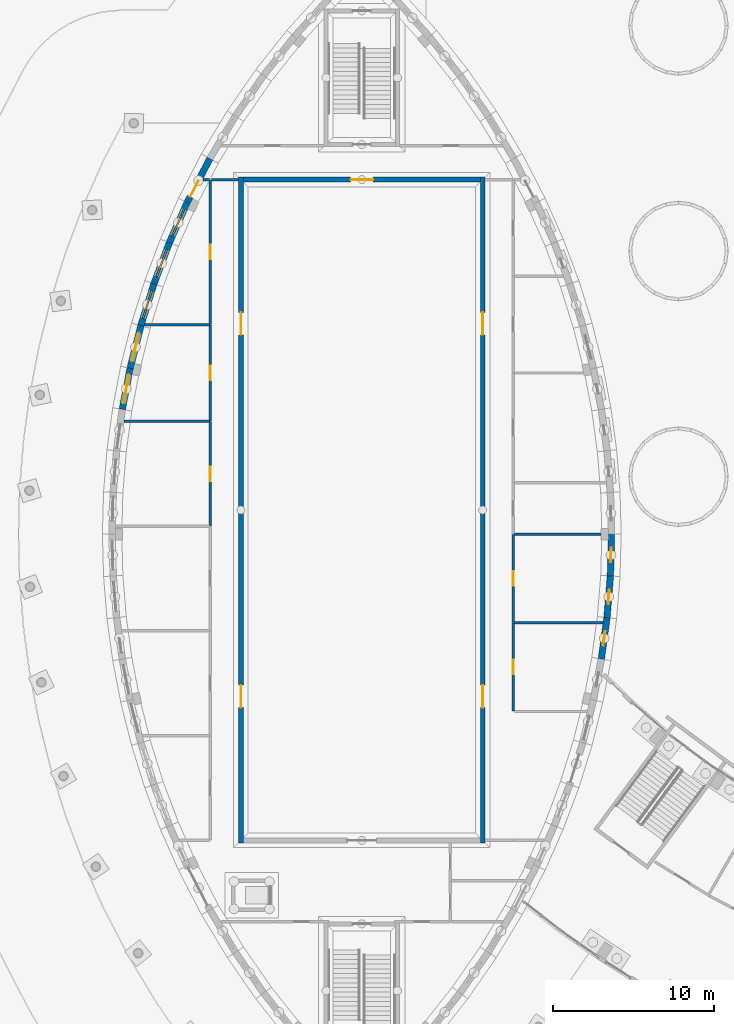
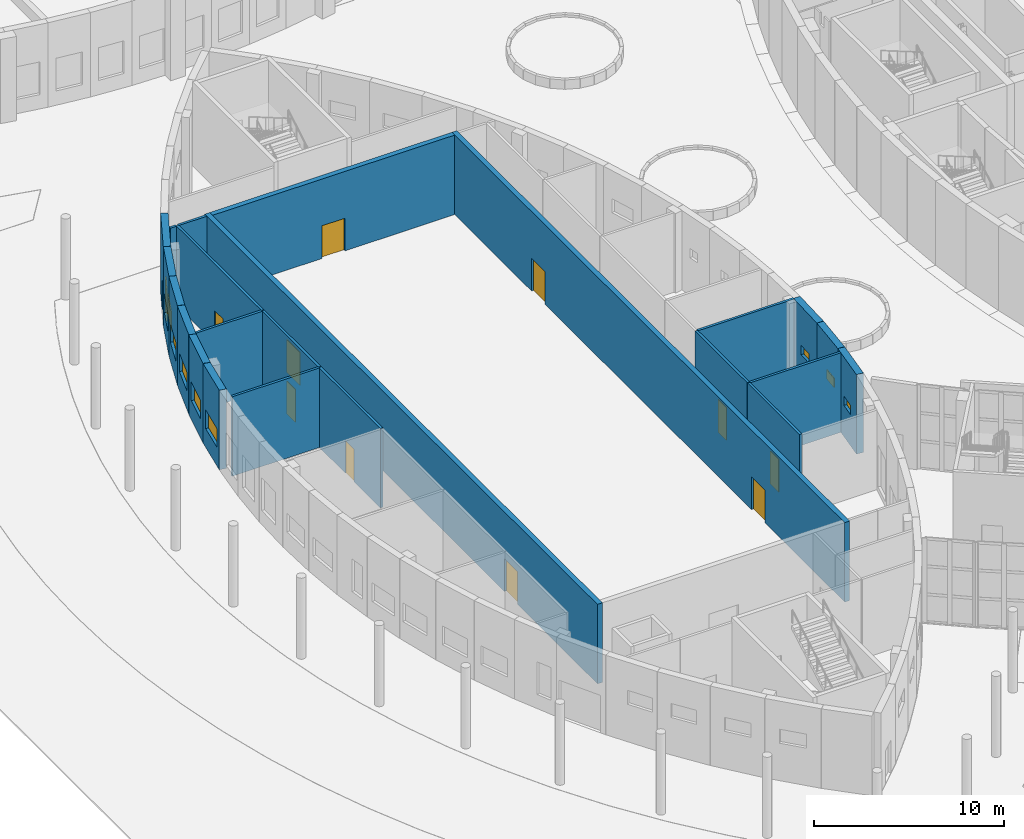
# One storey, part 44 of 82: 23 walls, 11 doors, 8 windows, 19 openings.
"""IFC4 building model written with IfcOpenShell, lengths in metres."""

import ifcopenshell
import ifcopenshell.guid

model = None  # the IFC model being written
_history = None  # IfcOwnerHistory: only IFC2X3 demands one
_inside = {}  # id of a spatial element -> (the spatial element, [elements in it])
_under = {}  # id of a project, library or spatial element -> (it, [spatial elements below it])
_declared = {}  # id of a project -> (the project, [libraries it declares])
_typed = {}  # id of a type object -> (the type object, [elements of that type])
_made_of = {}  # id of a material, layer set ... -> (it, [elements and type objects made of it])


def new_model(schema):
    """Start an empty IFC model of exactly this schema.

    Asked for "IFC4X3", IfcOpenShell would pick the latest addendum, in which some entities
    have other attributes; the version numbers below select the first issue.
    IFC2X3 requires an IfcOwnerHistory on every rooted entity: one is made here for all.
    """
    global model, _history
    if schema == "IFC4X3":
        model = ifcopenshell.file(schema_version=(4, 3, 0, 0))
    else:
        model = ifcopenshell.file(schema=schema)
    _inside.clear()
    _under.clear()
    _declared.clear()
    _typed.clear()
    _made_of.clear()
    _history = None
    if model.schema == "IFC2X3":
        org = make("IfcOrganization", Name="unknown")
        user = make(
            "IfcPersonAndOrganization",
            ThePerson=make("IfcPerson", FamilyName="unknown"),
            TheOrganization=org,
        )
        app = make(
            "IfcApplication",
            ApplicationDeveloper=org,
            Version="unknown",
            ApplicationFullName="unknown",
            ApplicationIdentifier="unknown",
        )
        _history = make(
            "IfcOwnerHistory",
            OwningUser=user,
            OwningApplication=app,
            ChangeAction="ADDED",
            CreationDate=0,
        )
    return model


def make(cls, **values):
    """One entity of the class cls with the attributes given. An attribute that is None is left unset."""
    return model.create_entity(
        cls, **{name: value for name, value in values.items() if value is not None}
    )


def rooted(cls, **values):
    """An entity with a GlobalId (a new one), such as an element, a storey or a relation."""
    return make(cls, GlobalId=ifcopenshell.guid.new(), OwnerHistory=_history, **values)


def si_unit(unit_type, name, prefix=None):
    """IfcSIUnit, for example si_unit("LENGTHUNIT", "METRE", prefix="MILLI")."""
    return make("IfcSIUnit", UnitType=unit_type, Prefix=prefix, Name=name)


def assignment(units):
    """IfcUnitAssignment: the units of a project."""
    return None if units is None else make("IfcUnitAssignment", Units=units)


def point(xyz):
    """IfcCartesianPoint."""
    return None if xyz is None else make("IfcCartesianPoint", Coordinates=xyz)


def direction(xyz):
    """IfcDirection."""
    return None if xyz is None else make("IfcDirection", DirectionRatios=xyz)


def frame(location, z_axis=None, x_axis=None):
    """IfcAxis2Placement3D, a coordinate frame: its origin and axes. An axis left out is left unset."""
    return make(
        "IfcAxis2Placement3D",
        Location=point(location),
        Axis=direction(z_axis),
        RefDirection=direction(x_axis),
    )


def frame_2d(location, x_axis=None):
    """IfcAxis2Placement2D, a coordinate frame in the plane: its origin and x axis."""
    return make(
        "IfcAxis2Placement2D", Location=point(location), RefDirection=direction(x_axis)
    )


def origin():
    """The frame at (0, 0, 0) with its axes left unset."""
    return frame((0.0, 0.0, 0.0))


def place(relative_to, where):
    """IfcLocalPlacement: puts the frame where relative to a parent placement (None: the world)."""
    return make(
        "IfcLocalPlacement", PlacementRelTo=relative_to, RelativePlacement=where
    )


def context(
    kind, dimensions, precision=None, world=None, true_north=None, identifier=None
):
    """IfcGeometricRepresentationContext, for example the 3D "Model" context."""
    return make(
        "IfcGeometricRepresentationContext",
        ContextIdentifier=identifier,
        ContextType=kind,
        CoordinateSpaceDimension=dimensions,
        Precision=precision,
        WorldCoordinateSystem=world,
        TrueNorth=true_north,
    )


def subcontext(parent, identifier, kind, view, scale=None):
    """IfcGeometricRepresentationSubContext, for example "Body" below "Model"."""
    return make(
        "IfcGeometricRepresentationSubContext",
        ContextIdentifier=identifier,
        ContextType=kind,
        ParentContext=parent,
        TargetScale=scale,
        TargetView=view,
    )


def project(units=None, contexts=None):
    """IfcProject with its units and contexts."""
    return rooted(
        "IfcProject",
        Name="project",
        RepresentationContexts=contexts,
        UnitsInContext=assignment(units),
    )


def spatial(cls, under=None, at=None, **own):
    """A site, building, storey or space (cls), placed at a placement, below another one or the project."""
    s = rooted(cls, ObjectPlacement=at, **own)
    if under is not None:
        _under.setdefault(under.id(), (under, []))[1].append(s)
    return s


def profile(cls, at=None, kind="AREA", **sizes):
    """A parametric profile (cls). Its sizes go by their IFC names, for example OverallWidth=200.0."""
    return make(cls, ProfileType=kind, Position=at, **sizes)


def rectangle(**sizes):
    """IfcRectangleProfileDef."""
    return profile("IfcRectangleProfileDef", **sizes)


def extrude(swept, where, along, depth):
    """IfcExtrudedAreaSolid: the profile swept, set in the frame where, extruded along a direction by depth."""
    return make(
        "IfcExtrudedAreaSolid",
        SweptArea=swept,
        Position=where,
        ExtrudedDirection=direction(along),
        Depth=depth,
    )


def shape(context_of_items, identifier, shape_type, items):
    """IfcShapeRepresentation: the items that make up one representation, for example the "Body"."""
    return make(
        "IfcShapeRepresentation",
        ContextOfItems=context_of_items,
        RepresentationIdentifier=identifier,
        RepresentationType=shape_type,
        Items=items,
    )


def material(Name=None, Category=None):
    """IfcMaterial."""
    return make("IfcMaterial", Name=Name, Category=Category)


def layer(
    of_material, thickness, ventilated=None, Name=None, Category=None, Priority=None
):
    """IfcMaterialLayer: one layer of a wall or slab, of a material (None: an air gap)."""
    return make(
        "IfcMaterialLayer",
        Material=of_material,
        LayerThickness=thickness,
        IsVentilated=ventilated,
        Name=Name,
        Category=Category,
        Priority=Priority,
    )


def layer_set(layers, Name=None):
    """IfcMaterialLayerSet."""
    return make("IfcMaterialLayerSet", MaterialLayers=layers, LayerSetName=Name)


def made_of(thing, what):
    """Note that an element or type object is made of a material, layer set ...; save() writes the relation."""
    if what is not None:
        _made_of.setdefault(what.id(), (what, []))[1].append(thing)
    return thing


def type_object(cls, material=None, **own):
    """A type object (cls), such as IfcWallType, which elements share."""
    return made_of(rooted(cls, **own), material)


def element(
    cls,
    number,
    at=None,
    inside=None,
    cuts=None,
    type_object=None,
    material=None,
    context=None,
    identifier="Body",
    shape_type=None,
    held_by="IfcProductDefinitionShape",
    body=None,
    shapes=None,
    **own,
):
    """One element of the class cls, such as IfcWall. Its Tag is "e" and its number.

    at: its placement. inside: the storey or other place that contains it. cuts: it is an
    opening in that element (IfcRelVoidsElement). A single representation is given by context,
    identifier, shape_type and body (its items); several are given by shapes. held_by: the class
    of the entity that holds the representations. save() writes the other relations.
    """
    e = rooted(cls, Tag="e%d" % number, ObjectPlacement=at, **own)
    if body is not None:
        shapes = [shape(context, identifier, shape_type, body)]
    if shapes is not None:
        e.Representation = make(held_by, Representations=shapes)
    if inside is not None:
        _inside.setdefault(inside.id(), (inside, []))[1].append(e)
    if cuts is not None:
        rooted(
            "IfcRelVoidsElement", RelatingBuildingElement=cuts, RelatedOpeningElement=e
        )
    if type_object is not None:
        _typed.setdefault(type_object.id(), (type_object, []))[1].append(e)
    return made_of(e, material)


def fill(opening, filler):
    """IfcRelFillsElement: the door or window that sits in an opening."""
    return rooted(
        "IfcRelFillsElement",
        RelatingOpeningElement=opening,
        RelatedBuildingElement=filler,
    )


def aggregate(whole, parts):
    """IfcRelAggregates: a whole, such as a stair, and the parts it consists of."""
    return rooted("IfcRelAggregates", RelatingObject=whole, RelatedObjects=parts)


def save(model, path):
    """Write the relations noted so far, then the file.

    IfcRelAggregates (storeys below a building ...), IfcRelContainedInSpatialStructure (elements
    in a storey), IfcRelDefinesByType, IfcRelAssociatesMaterial and IfcRelDeclares: one each for
    every whole, place, type object, material and project.
    """
    for whole, parts in _under.values():
        aggregate(whole, parts)
    for where, things in _inside.values():
        rooted(
            "IfcRelContainedInSpatialStructure",
            RelatedElements=things,
            RelatingStructure=where,
        )
    for kind, things in _typed.values():
        rooted("IfcRelDefinesByType", RelatedObjects=things, RelatingType=kind)
    for what, things in _made_of.values():
        rooted("IfcRelAssociatesMaterial", RelatedObjects=things, RelatingMaterial=what)
    for by, libraries in _declared.values():
        rooted("IfcRelDeclares", RelatingContext=by, RelatedDefinitions=libraries)
    model.write(path)


model = new_model("IFC4")

# Units and contexts
model_context = context("Model", 3, precision=1e-05, world=origin(), true_north=direction((0.0, 1.0)))
body_context = subcontext(model_context, "Body", "Model", "MODEL_VIEW")
ifc_project = project(units=[si_unit("LENGTHUNIT", "METRE"), si_unit("AREAUNIT", "SQUARE_METRE"), si_unit("VOLUMEUNIT", "CUBIC_METRE"), si_unit("PLANEANGLEUNIT", "RADIAN"), si_unit("MASSUNIT", "GRAM", prefix="KILO")], contexts=[model_context])

# Site, building, storey
site_placement = place(None, origin())
site = spatial("IfcSite", under=ifc_project, at=site_placement, CompositionType="ELEMENT")
building_placement = place(site_placement, origin())
building = spatial("IfcBuilding", under=site, at=building_placement, Name="Tide Square Theatres", CompositionType="ELEMENT")
storey_placement = place(building_placement, origin())
storey = spatial("IfcBuildingStorey", under=building, at=storey_placement, Name="L00", CompositionType="ELEMENT", Elevation=0.0)

# Walls
ifc_material_1 = material(Name="Gypsum board on steel studs", Category="steel")
ifc_layer_1 = layer(ifc_material_1, 0.14990234375)
ifc_layer_set_1 = layer_set([ifc_layer_1], Name="Gypsum board on steel studs")
wall_type_1 = type_object("IfcWallType", Name="Partition 150 thick", PredefinedType="PARTITIONING", material=ifc_layer_set_1)
wall_1_placement = place(storey_placement, frame((28.3505859375, 66.5, 0.0), z_axis=(0.0, 0.0, 1.0), x_axis=(-1.0, 0.0, 0.0)))
element("IfcWall", 1, at=wall_1_placement, inside=storey, type_object=wall_type_1, Name="Studio Theatre partition", PredefinedType="PARTITIONING", context=body_context, shape_type="SweptSolid", body=[
    extrude(rectangle(XDim=1.690673828125, YDim=0.14990234375, at=frame_2d((0.84521484375, 0.0))), origin(), (0.0, 0.0, 1.0), 5.10009765625),
])
wall_2_placement = place(storey_placement, frame((26.5400390625, 66.5, 0.0), z_axis=(0.0, 0.0, 1.0), x_axis=(-1.0, 0.0, 0.0)))
element("IfcWall", 2, at=wall_2_placement, inside=storey, type_object=wall_type_1, Name="Studio Theatre partition", PredefinedType="PARTITIONING", context=body_context, shape_type="SweptSolid", body=[
    extrude(rectangle(XDim=0.396728515625, YDim=0.14990234375, at=frame_2d((0.1982421875, 0.0))), origin(), (0.0, 0.0, 1.0), 5.10009765625),
])

# Wall, opening, door
wall_3_placement = place(storey_placement, frame((26.60009765625, 45.02001953125, 0.0), z_axis=(0.0, 0.0, 1.0), x_axis=(0.0, 1.0, 0.0)))
wall_3 = element("IfcWall", 3, at=wall_3_placement, inside=storey, type_object=wall_type_1, Name="Studio Theatre partition", PredefinedType="PARTITIONING", context=body_context, shape_type="SweptSolid", body=[
    extrude(rectangle(XDim=6.4599609375, YDim=0.14990234375, at=frame_2d((3.22998046875, 0.0))), origin(), (0.0, 0.0, 1.0), 5.10009765625),
])
opening_1_placement = place(wall_3_placement, frame((2.780029296875, 0.0, 0.0)))
opening_1 = element("IfcOpeningElement", 4, at=opening_1_placement, cuts=wall_3, Name="Opening S00-16", PredefinedType="OPENING", context=body_context, shape_type="SweptSolid", body=[
    extrude(rectangle(XDim=0.89990234375, YDim=2.10009765625, at=frame_2d((0.449951171875, 1.050048828125))), frame((0.0, 0.0849609375, 0.0), z_axis=(0.0, -1.0, 0.0), x_axis=(1.0, 0.0, 0.0)), (0.0, 0.0, 1.0), 0.169921875),
])
ifc_material_2 = material(Name="Hardwood timber", Category="wood")
door_type_1 = type_object("IfcDoorType", Name="Door 900 x 2100 single leaf", OperationType="NOTDEFINED", PredefinedType="DOOR", material=ifc_material_2)
door_1_placement = place(opening_1_placement, origin())
door_1 = element("IfcDoor", 5, at=door_1_placement, inside=storey, type_object=door_type_1, Name="Wardrobe door", OperationType="SINGLE_SWING_RIGHT", OverallHeight=2.10009765625, OverallWidth=0.89990234375, PredefinedType="DOOR", context=body_context, shape_type="SweptSolid", body=[
    extrude(rectangle(XDim=0.89990234375, YDim=2.10009765625, at=frame_2d((0.449951171875, 1.050048828125))), frame((0.0, 0.02490234375, 0.0), z_axis=(0.0, -1.0, 0.0), x_axis=(1.0, 0.0, 0.0)), (0.0, 0.0, 1.0), 0.050048828125),
])
fill(opening_1, door_1)

wall_4_placement = place(storey_placement, frame((26.60009765625, 51.52001953125, 0.0), z_axis=(0.0, 0.0, 1.0), x_axis=(0.0, 1.0, 0.0)))
wall_4 = element("IfcWall", 6, at=wall_4_placement, inside=storey, type_object=wall_type_1, Name="Studio Theatre partition", PredefinedType="PARTITIONING", context=body_context, shape_type="SweptSolid", body=[
    extrude(rectangle(XDim=5.9599609375, YDim=0.14990234375, at=frame_2d((2.97998046875, 0.0))), origin(), (0.0, 0.0, 1.0), 5.10009765625),
])
opening_2_placement = place(wall_4_placement, frame((2.530029296875, 0.0, 0.0)))
opening_2 = element("IfcOpeningElement", 7, at=opening_2_placement, cuts=wall_4, Name="Opening S00-17", PredefinedType="OPENING", context=body_context, shape_type="SweptSolid", body=[
    extrude(rectangle(XDim=0.89990234375, YDim=2.10009765625, at=frame_2d((0.449951171875, 1.050048828125))), frame((0.0, 0.0849609375, 0.0), z_axis=(0.0, -1.0, 0.0), x_axis=(1.0, 0.0, 0.0)), (0.0, 0.0, 1.0), 0.169921875),
])
door_2_placement = place(opening_2_placement, origin())
door_2 = element("IfcDoor", 8, at=door_2_placement, inside=storey, type_object=door_type_1, Name="Dressing Room 03 door", OperationType="SINGLE_SWING_RIGHT", OverallHeight=2.10009765625, OverallWidth=0.89990234375, PredefinedType="DOOR", context=body_context, shape_type="SweptSolid", body=[
    extrude(rectangle(XDim=0.89990234375, YDim=2.10009765625, at=frame_2d((0.449951171875, 1.050048828125))), frame((0.0, 0.02490234375, 0.0), z_axis=(0.0, -1.0, 0.0), x_axis=(1.0, 0.0, 0.0)), (0.0, 0.0, 1.0), 0.050048828125),
])
fill(opening_2, door_2)

wall_5_placement = place(storey_placement, frame((26.60009765625, 57.52001953125, 0.0), z_axis=(0.0, 0.0, 1.0), x_axis=(0.0, 1.0, 0.0)))
wall_5 = element("IfcWall", 9, at=wall_5_placement, inside=storey, type_object=wall_type_1, Name="Studio Theatre partition", PredefinedType="PARTITIONING", context=body_context, shape_type="SweptSolid", body=[
    extrude(rectangle(XDim=8.9599609375, YDim=0.14990234375, at=frame_2d((4.47998046875, 0.0))), origin(), (0.0, 0.0, 1.0), 5.10009765625),
])
opening_3_placement = place(wall_5_placement, frame((4.030029296875, 0.0, 0.0)))
opening_3 = element("IfcOpeningElement", 10, at=opening_3_placement, cuts=wall_5, Name="Opening S00-18", PredefinedType="OPENING", context=body_context, shape_type="SweptSolid", body=[
    extrude(rectangle(XDim=0.89990234375, YDim=2.10009765625, at=frame_2d((0.449951171875, 1.050048828125))), frame((0.0, 0.0849609375, 0.0), z_axis=(0.0, -1.0, 0.0), x_axis=(1.0, 0.0, 0.0)), (0.0, 0.0, 1.0), 0.169921875),
])
door_3_placement = place(opening_3_placement, origin())
door_3 = element("IfcDoor", 11, at=door_3_placement, inside=storey, type_object=door_type_1, Name="Dressing Room 04 door", OperationType="SINGLE_SWING_RIGHT", OverallHeight=2.10009765625, OverallWidth=0.89990234375, PredefinedType="DOOR", context=body_context, shape_type="SweptSolid", body=[
    extrude(rectangle(XDim=0.89990234375, YDim=2.10009765625, at=frame_2d((0.449951171875, 1.050048828125))), frame((0.0, 0.02490234375, 0.0), z_axis=(0.0, -1.0, 0.0), x_axis=(1.0, 0.0, 0.0)), (0.0, 0.0, 1.0), 0.050048828125),
])
fill(opening_3, door_3)

wall_6_placement = place(storey_placement, frame((45.39990234375, 38.97998046875, 0.0), z_axis=(0.0, 0.0, 1.0), x_axis=(0.0, -1.0, 0.0)))
wall_6 = element("IfcWall", 12, at=wall_6_placement, inside=storey, type_object=wall_type_1, Name="Studio Theatre partition", PredefinedType="PARTITIONING", context=body_context, shape_type="SweptSolid", body=[
    extrude(rectangle(XDim=5.4599609375, YDim=0.14990234375, at=frame_2d((2.72998046875, 0.0))), origin(), (0.0, 0.0, 1.0), 5.10009765625),
])
opening_4_placement = place(wall_6_placement, frame((2.280029296875, 0.0, 0.0)))
opening_4 = element("IfcOpeningElement", 13, at=opening_4_placement, cuts=wall_6, Name="Opening S00-19", PredefinedType="OPENING", context=body_context, shape_type="SweptSolid", body=[
    extrude(rectangle(XDim=0.89990234375, YDim=2.10009765625, at=frame_2d((0.449951171875, 1.050048828125))), frame((0.0, 0.0849609375, 0.0), z_axis=(0.0, -1.0, 0.0), x_axis=(1.0, 0.0, 0.0)), (0.0, 0.0, 1.0), 0.169921875),
])
door_4_placement = place(opening_4_placement, origin())
door_4 = element("IfcDoor", 14, at=door_4_placement, inside=storey, type_object=door_type_1, Name="Women's WC door", OperationType="SINGLE_SWING_RIGHT", OverallHeight=2.10009765625, OverallWidth=0.89990234375, PredefinedType="DOOR", context=body_context, shape_type="SweptSolid", body=[
    extrude(rectangle(XDim=0.89990234375, YDim=2.10009765625, at=frame_2d((0.449951171875, 1.050048828125))), frame((0.0, 0.02490234375, 0.0), z_axis=(0.0, -1.0, 0.0), x_axis=(1.0, 0.0, 0.0)), (0.0, 0.0, 1.0), 0.050048828125),
])
fill(opening_4, door_4)

wall_7_placement = place(storey_placement, frame((45.39990234375, 44.47998046875, 0.0), z_axis=(0.0, 0.0, 1.0), x_axis=(0.0, -1.0, 0.0)))
wall_7 = element("IfcWall", 15, at=wall_7_placement, inside=storey, type_object=wall_type_1, Name="Studio Theatre partition", PredefinedType="PARTITIONING", context=body_context, shape_type="SweptSolid", body=[
    extrude(rectangle(XDim=5.4599609375, YDim=0.14990234375, at=frame_2d((2.72998046875, 0.0))), origin(), (0.0, 0.0, 1.0), 5.10009765625),
])
opening_5_placement = place(wall_7_placement, frame((2.280029296875, 0.0, 0.0)))
opening_5 = element("IfcOpeningElement", 16, at=opening_5_placement, cuts=wall_7, Name="Opening S00-20", PredefinedType="OPENING", context=body_context, shape_type="SweptSolid", body=[
    extrude(rectangle(XDim=0.89990234375, YDim=2.10009765625, at=frame_2d((0.449951171875, 1.050048828125))), frame((0.0, 0.0849609375, 0.0), z_axis=(0.0, -1.0, 0.0), x_axis=(1.0, 0.0, 0.0)), (0.0, 0.0, 1.0), 0.169921875),
])
door_5_placement = place(opening_5_placement, origin())
door_5 = element("IfcDoor", 17, at=door_5_placement, inside=storey, type_object=door_type_1, Name="Men's WC door", OperationType="SINGLE_SWING_RIGHT", OverallHeight=2.10009765625, OverallWidth=0.89990234375, PredefinedType="DOOR", context=body_context, shape_type="SweptSolid", body=[
    extrude(rectangle(XDim=0.89990234375, YDim=2.10009765625, at=frame_2d((0.449951171875, 1.050048828125))), frame((0.0, 0.02490234375, 0.0), z_axis=(0.0, -1.0, 0.0), x_axis=(1.0, 0.0, 0.0)), (0.0, 0.0, 1.0), 0.050048828125),
])
fill(opening_5, door_5)

# Walls
wall_8_placement = place(storey_placement, frame((21.238525390625, 51.5, 0.0), z_axis=(0.0, 0.0, 1.0), x_axis=(1.0, 0.0, 0.0)))
element("IfcWall", 18, at=wall_8_placement, inside=storey, type_object=wall_type_1, Name="Studio Theatre partition", PredefinedType="PARTITIONING", context=body_context, shape_type="SweptSolid", body=[
    extrude(rectangle(XDim=5.301513671875, YDim=0.14990234375, at=frame_2d((2.65087890625, 0.0))), origin(), (0.0, 0.0, 1.0), 5.10009765625),
])
wall_9_placement = place(storey_placement, frame((22.52978515625, 57.5, 0.0), z_axis=(0.0, 0.0, 1.0), x_axis=(1.0, 0.0, 0.0)))
element("IfcWall", 19, at=wall_9_placement, inside=storey, type_object=wall_type_1, Name="Studio Theatre partition", PredefinedType="PARTITIONING", context=body_context, shape_type="SweptSolid", body=[
    extrude(rectangle(XDim=4.01025390625, YDim=0.14990234375, at=frame_2d((2.005126953125, 0.0))), origin(), (0.0, 0.0, 1.0), 5.10009765625),
])
wall_10_placement = place(storey_placement, frame((45.4599609375, 39.0, 0.0), z_axis=(0.0, 0.0, 1.0), x_axis=(1.0, 0.0, 0.0)))
element("IfcWall", 20, at=wall_10_placement, inside=storey, type_object=wall_type_1, Name="Studio Theatre partition", PredefinedType="PARTITIONING", context=body_context, shape_type="SweptSolid", body=[
    extrude(rectangle(XDim=5.50634765625, YDim=0.14990234375, at=frame_2d((2.753173828125, 0.0))), origin(), (0.0, 0.0, 1.0), 5.10009765625),
])
wall_11_placement = place(storey_placement, frame((45.4599609375, 44.5, 0.0), z_axis=(0.0, 0.0, 1.0), x_axis=(1.0, 0.0, 0.0)))
element("IfcWall", 21, at=wall_11_placement, inside=storey, type_object=wall_type_1, Name="Studio Theatre partition", PredefinedType="PARTITIONING", context=body_context, shape_type="SweptSolid", body=[
    extrude(rectangle(XDim=5.833251953125, YDim=0.14990234375, at=frame_2d((2.91650390625, 0.0))), origin(), (0.0, 0.0, 1.0), 5.10009765625),
])

# Wall, opening, window
ifc_material_3 = material(Name="Concrete C40", Category="concrete")
ifc_layer_2 = layer(ifc_material_3, 0.39990234375)
ifc_layer_set_2 = layer_set([ifc_layer_2], Name="Concrete C40")
wall_type_2 = type_object("IfcWallType", Name="RC curved wall 400 thick", PredefinedType="SOLIDWALL", material=ifc_layer_set_2)
wall_12_placement = place(storey_placement, frame((50.862060546875, 36.760986328125, 0.0), z_axis=(0.0, 0.0, 1.0), x_axis=(0.13522291824, 0.990815200924, 0.0)))
wall_12 = element("IfcWall", 22, at=wall_12_placement, inside=storey, type_object=wall_type_2, Name="Studio Theatre perimeter wall", PredefinedType="SOLIDWALL", context=body_context, shape_type="SweptSolid", body=[
    extrude(rectangle(XDim=2.581787109375, YDim=0.39990234375, at=frame_2d((1.291015625, 0.0))), origin(), (0.0, 0.0, 1.0), 5.10009765625),
])
opening_6_placement = place(wall_12_placement, frame((0.8408203125, 0.0, 2.0)))
opening_6 = element("IfcOpeningElement", 23, at=opening_6_placement, cuts=wall_12, Name="Opening WN-12", PredefinedType="OPENING", context=body_context, shape_type="SweptSolid", body=[
    extrude(rectangle(XDim=0.89990234375, YDim=0.60009765625, at=frame_2d((0.449951171875, 0.300048828125))), frame((0.0, 0.2099609375, 0.0), z_axis=(0.0, -1.0, 0.0), x_axis=(1.0, 0.0, 0.0)), (0.0, 0.0, 1.0), 0.419921875),
])
ifc_material_4 = material(Name="Aluminium with laminated glass", Category="aluminium")
window_type_1 = type_object("IfcWindowType", Name="Window 900 x 600", PartitioningType="SINGLE_PANEL", PredefinedType="WINDOW", material=ifc_material_4)
window_1_placement = place(opening_6_placement, origin())
window_1 = element("IfcWindow", 24, at=window_1_placement, inside=storey, type_object=window_type_1, Name="Studio Theatre Women's WC window", OverallHeight=0.60009765625, OverallWidth=0.89990234375, PartitioningType="SINGLE_PANEL", PredefinedType="WINDOW", context=body_context, shape_type="SweptSolid", body=[
    extrude(rectangle(XDim=0.89990234375, YDim=0.60009765625, at=frame_2d((0.449951171875, 0.300048828125))), frame((0.0, 0.030029296875, 0.0), z_axis=(0.0, -1.0, 0.0), x_axis=(1.0, 0.0, 0.0)), (0.0, 0.0, 1.0), 0.06005859375),
])
fill(opening_6, window_1)

wall_13_placement = place(storey_placement, frame((51.212158203125, 39.329833984375, 0.0), z_axis=(0.0, 0.0, 1.0), x_axis=(0.081323667998, 0.996687744995, 0.0)))
wall_13 = element("IfcWall", 25, at=wall_13_placement, inside=storey, type_object=wall_type_2, Name="Studio Theatre perimeter wall", PredefinedType="SOLIDWALL", context=body_context, shape_type="SweptSolid", body=[
    extrude(rectangle(XDim=2.581787109375, YDim=0.39990234375, at=frame_2d((1.291015625, 0.0))), origin(), (0.0, 0.0, 1.0), 5.10009765625),
])
opening_7_placement = place(wall_13_placement, frame((0.8408203125, 0.0, 2.0)))
opening_7 = element("IfcOpeningElement", 26, at=opening_7_placement, cuts=wall_13, Name="Opening WN-12", PredefinedType="OPENING", context=body_context, shape_type="SweptSolid", body=[
    extrude(rectangle(XDim=0.89990234375, YDim=0.60009765625, at=frame_2d((0.449951171875, 0.300048828125))), frame((0.0, 0.2099609375, 0.0), z_axis=(0.0, -1.0, 0.0), x_axis=(1.0, 0.0, 0.0)), (0.0, 0.0, 1.0), 0.419921875),
])
window_2_placement = place(opening_7_placement, origin())
window_2 = element("IfcWindow", 27, at=window_2_placement, inside=storey, type_object=window_type_1, Name="Studio Theatre Men's WC window", OverallHeight=0.60009765625, OverallWidth=0.89990234375, PartitioningType="SINGLE_PANEL", PredefinedType="WINDOW", context=body_context, shape_type="SweptSolid", body=[
    extrude(rectangle(XDim=0.89990234375, YDim=0.60009765625, at=frame_2d((0.449951171875, 0.300048828125))), frame((0.0, 0.030029296875, 0.0), z_axis=(0.0, -1.0, 0.0), x_axis=(1.0, 0.0, 0.0)), (0.0, 0.0, 1.0), 0.06005859375),
])
fill(opening_7, window_2)

wall_14_placement = place(storey_placement, frame((51.422607421875, 41.913818359375, 0.0), z_axis=(0.0, 0.0, 1.0), x_axis=(0.027139748682, 0.99963164918, 0.0)))
wall_14 = element("IfcWall", 28, at=wall_14_placement, inside=storey, type_object=wall_type_2, Name="Studio Theatre perimeter wall", PredefinedType="SOLIDWALL", context=body_context, shape_type="SweptSolid", body=[
    extrude(rectangle(XDim=2.581787109375, YDim=0.39990234375, at=frame_2d((1.291015625, 0.0))), origin(), (0.0, 0.0, 1.0), 5.10009765625),
])
opening_8_placement = place(wall_14_placement, frame((0.8408203125, 0.0, 2.0)))
opening_8 = element("IfcOpeningElement", 29, at=opening_8_placement, cuts=wall_14, Name="Opening WN-12", PredefinedType="OPENING", context=body_context, shape_type="SweptSolid", body=[
    extrude(rectangle(XDim=0.89990234375, YDim=0.60009765625, at=frame_2d((0.449951171875, 0.300048828125))), frame((0.0, 0.2099609375, 0.0), z_axis=(0.0, -1.0, 0.0), x_axis=(1.0, 0.0, 0.0)), (0.0, 0.0, 1.0), 0.419921875),
])
window_3_placement = place(opening_8_placement, origin())
window_3 = element("IfcWindow", 30, at=window_3_placement, inside=storey, type_object=window_type_1, Name="Studio Theatre Men's WC window", OverallHeight=0.60009765625, OverallWidth=0.89990234375, PartitioningType="SINGLE_PANEL", PredefinedType="WINDOW", context=body_context, shape_type="SweptSolid", body=[
    extrude(rectangle(XDim=0.89990234375, YDim=0.60009765625, at=frame_2d((0.449951171875, 0.300048828125))), frame((0.0, 0.030029296875, 0.0), z_axis=(0.0, -1.0, 0.0), x_axis=(1.0, 0.0, 0.0)), (0.0, 0.0, 1.0), 0.06005859375),
])
fill(opening_8, window_3)

# Wall, opening, door
wall_15_placement = place(storey_placement, frame((26.572021484375, 67.802490234375, 0.0), z_axis=(0.0, 0.0, 1.0), x_axis=(-0.45930565039, -0.888278289457, 0.0)))
wall_15 = element("IfcWall", 31, at=wall_15_placement, inside=storey, type_object=wall_type_2, Name="Studio Theatre perimeter wall", PredefinedType="SOLIDWALL", context=body_context, shape_type="SweptSolid", body=[
    extrude(rectangle(XDim=3.05859375, YDim=0.39990234375, at=frame_2d((1.529296875, 0.0))), origin(), (0.0, 0.0, 1.0), 5.10009765625),
])
opening_9_placement = place(wall_15_placement, frame((1.56298828125, 0.0, 0.0)))
opening_9 = element("IfcOpeningElement", 32, at=opening_9_placement, cuts=wall_15, Name="Opening S00-02", PredefinedType="OPENING", context=body_context, shape_type="SweptSolid", body=[
    extrude(rectangle(XDim=1.10009765625, YDim=2.10009765625, at=frame_2d((0.550048828125, 1.050048828125))), frame((0.0, 0.2099609375, 0.0), z_axis=(0.0, -1.0, 0.0), x_axis=(1.0, 0.0, 0.0)), (0.0, 0.0, 1.0), 0.419921875),
])
ifc_material_5 = material(Name="Painted steel", Category="steel")
door_type_2 = type_object("IfcDoorType", Name="Door 1100 x 2100 single leaf", OperationType="NOTDEFINED", PredefinedType="DOOR", material=ifc_material_5)
door_6_placement = place(opening_9_placement, frame((1.10009765625, 0.0, 0.0), z_axis=(0.0, 0.0, 1.0), x_axis=(-1.0, 0.0, 0.0)))
door_6 = element("IfcDoor", 33, at=door_6_placement, inside=storey, type_object=door_type_2, Name="Studio Theatre stage door exit north-west", OperationType="SINGLE_SWING_LEFT", OverallHeight=2.10009765625, OverallWidth=1.10009765625, PredefinedType="DOOR", context=body_context, shape_type="SweptSolid", body=[
    extrude(rectangle(XDim=1.10009765625, YDim=2.10009765625, at=frame_2d((0.550048828125, 1.050048828125))), frame((0.0, 0.02490234375, 0.0), z_axis=(0.0, -1.0, 0.0), x_axis=(1.0, 0.0, 0.0)), (0.0, 0.0, 1.0), 0.050048828125),
])
fill(opening_9, door_6)

# Wall, opening, window
wall_16_placement = place(storey_placement, frame((25.162109375, 65.07470703125, 0.0), z_axis=(0.0, 0.0, 1.0), x_axis=(-0.404652153757, -0.914470685402, 0.0)))
wall_16 = element("IfcWall", 34, at=wall_16_placement, inside=storey, type_object=wall_type_2, Name="Studio Theatre perimeter wall", PredefinedType="SOLIDWALL", context=body_context, shape_type="SweptSolid", body=[
    extrude(rectangle(XDim=2.7138671875, YDim=0.39990234375, at=frame_2d((1.35693359375, 0.0))), origin(), (0.0, 0.0, 1.0), 5.10009765625),
])
opening_10_placement = place(wall_16_placement, frame((0.456787109375, 0.0, 1.199951171875)))
opening_10 = element("IfcOpeningElement", 35, at=opening_10_placement, cuts=wall_16, Name="Opening WN-26", PredefinedType="OPENING", context=body_context, shape_type="SweptSolid", body=[
    extrude(rectangle(XDim=1.800048828125, YDim=1.199951171875, at=frame_2d((0.89990234375, 0.60009765625))), frame((0.0, 0.2099609375, 0.0), z_axis=(0.0, -1.0, 0.0), x_axis=(1.0, 0.0, 0.0)), (0.0, 0.0, 1.0), 0.419921875),
])
ifc_material_6 = material(Name="Aluminium with laminated glass", Category="aluminium")
window_type_2 = type_object("IfcWindowType", Name="Window 1800 x 1200", PartitioningType="DOUBLE_PANEL_VERTICAL", PredefinedType="WINDOW", material=ifc_material_6)
window_4_placement = place(opening_10_placement, origin())
window_4 = element("IfcWindow", 36, at=window_4_placement, inside=storey, type_object=window_type_2, Name="Studio Theatre Dressing Room 04 window", OverallHeight=1.199951171875, OverallWidth=1.800048828125, PartitioningType="SINGLE_PANEL", PredefinedType="WINDOW", context=body_context, shape_type="SweptSolid", body=[
    extrude(rectangle(XDim=1.800048828125, YDim=1.199951171875, at=frame_2d((0.89990234375, 0.60009765625))), frame((0.0, 0.030029296875, 0.0), z_axis=(0.0, -1.0, 0.0), x_axis=(1.0, 0.0, 0.0)), (0.0, 0.0, 1.0), 0.06005859375),
])
fill(opening_10, window_4)

wall_17_placement = place(storey_placement, frame((24.0595703125, 62.58251953125, 0.0), z_axis=(0.0, 0.0, 1.0), x_axis=(-0.351862601417, -0.936051659752, 0.0)))
wall_17 = element("IfcWall", 37, at=wall_17_placement, inside=storey, type_object=wall_type_2, Name="Studio Theatre perimeter wall", PredefinedType="SOLIDWALL", context=body_context, shape_type="SweptSolid", body=[
    extrude(rectangle(XDim=2.71435546875, YDim=0.39990234375, at=frame_2d((1.357177734375, 0.0))), origin(), (0.0, 0.0, 1.0), 5.10009765625),
])
opening_11_placement = place(wall_17_placement, frame((0.457275390625, 0.0, 1.199951171875)))
opening_11 = element("IfcOpeningElement", 38, at=opening_11_placement, cuts=wall_17, Name="Opening WN-26", PredefinedType="OPENING", context=body_context, shape_type="SweptSolid", body=[
    extrude(rectangle(XDim=1.800048828125, YDim=1.199951171875, at=frame_2d((0.89990234375, 0.60009765625))), frame((0.0, 0.2099609375, 0.0), z_axis=(0.0, -1.0, 0.0), x_axis=(1.0, 0.0, 0.0)), (0.0, 0.0, 1.0), 0.419921875),
])
window_5_placement = place(opening_11_placement, origin())
window_5 = element("IfcWindow", 39, at=window_5_placement, inside=storey, type_object=window_type_2, Name="Studio Theatre Dressing Room 04 window", OverallHeight=1.199951171875, OverallWidth=1.800048828125, PartitioningType="SINGLE_PANEL", PredefinedType="WINDOW", context=body_context, shape_type="SweptSolid", body=[
    extrude(rectangle(XDim=1.800048828125, YDim=1.199951171875, at=frame_2d((0.89990234375, 0.60009765625))), frame((0.0, 0.030029296875, 0.0), z_axis=(0.0, -1.0, 0.0), x_axis=(1.0, 0.0, 0.0)), (0.0, 0.0, 1.0), 0.06005859375),
])
fill(opening_11, window_5)

wall_18_placement = place(storey_placement, frame((23.100830078125, 60.031005859375, 0.0), z_axis=(0.0, 0.0, 1.0), x_axis=(-0.29795748067, -0.954579142718, 0.0)))
wall_18 = element("IfcWall", 40, at=wall_18_placement, inside=storey, type_object=wall_type_2, Name="Studio Theatre perimeter wall", PredefinedType="SOLIDWALL", context=body_context, shape_type="SweptSolid", body=[
    extrude(rectangle(XDim=2.714599609375, YDim=0.39990234375, at=frame_2d((1.357421875, 0.0))), origin(), (0.0, 0.0, 1.0), 5.10009765625),
])
opening_12_placement = place(wall_18_placement, frame((0.457275390625, 0.0, 1.199951171875)))
opening_12 = element("IfcOpeningElement", 41, at=opening_12_placement, cuts=wall_18, Name="Opening WN-26", PredefinedType="OPENING", context=body_context, shape_type="SweptSolid", body=[
    extrude(rectangle(XDim=1.800048828125, YDim=1.199951171875, at=frame_2d((0.89990234375, 0.60009765625))), frame((0.0, 0.2099609375, 0.0), z_axis=(0.0, -1.0, 0.0), x_axis=(1.0, 0.0, 0.0)), (0.0, 0.0, 1.0), 0.419921875),
])
window_6_placement = place(opening_12_placement, origin())
window_6 = element("IfcWindow", 42, at=window_6_placement, inside=storey, type_object=window_type_2, Name="Studio Theatre Dressing Room 04 window", OverallHeight=1.199951171875, OverallWidth=1.800048828125, PartitioningType="SINGLE_PANEL", PredefinedType="WINDOW", context=body_context, shape_type="SweptSolid", body=[
    extrude(rectangle(XDim=1.800048828125, YDim=1.199951171875, at=frame_2d((0.89990234375, 0.60009765625))), frame((0.0, 0.030029296875, 0.0), z_axis=(0.0, -1.0, 0.0), x_axis=(1.0, 0.0, 0.0)), (0.0, 0.0, 1.0), 0.06005859375),
])
fill(opening_12, window_6)

wall_19_placement = place(storey_placement, frame((22.2890625, 57.4287109375, 0.0), z_axis=(0.0, 0.0, 1.0), x_axis=(-0.2430011368, -0.970026003525, 0.0)))
wall_19 = element("IfcWall", 43, at=wall_19_placement, inside=storey, type_object=wall_type_2, Name="Studio Theatre perimeter wall", PredefinedType="SOLIDWALL", context=body_context, shape_type="SweptSolid", body=[
    extrude(rectangle(XDim=2.714599609375, YDim=0.39990234375, at=frame_2d((1.357421875, 0.0))), origin(), (0.0, 0.0, 1.0), 5.10009765625),
])
opening_13_placement = place(wall_19_placement, frame((0.45751953125, 0.0, 1.199951171875)))
opening_13 = element("IfcOpeningElement", 44, at=opening_13_placement, cuts=wall_19, Name="Opening WN-26", PredefinedType="OPENING", context=body_context, shape_type="SweptSolid", body=[
    extrude(rectangle(XDim=1.800048828125, YDim=1.199951171875, at=frame_2d((0.89990234375, 0.60009765625))), frame((0.0, 0.2099609375, 0.0), z_axis=(0.0, -1.0, 0.0), x_axis=(1.0, 0.0, 0.0)), (0.0, 0.0, 1.0), 0.419921875),
])
window_7_placement = place(opening_13_placement, origin())
window_7 = element("IfcWindow", 45, at=window_7_placement, inside=storey, type_object=window_type_2, Name="Studio Theatre Dressing Room 03 window", OverallHeight=1.199951171875, OverallWidth=1.800048828125, PartitioningType="SINGLE_PANEL", PredefinedType="WINDOW", context=body_context, shape_type="SweptSolid", body=[
    extrude(rectangle(XDim=1.800048828125, YDim=1.199951171875, at=frame_2d((0.89990234375, 0.60009765625))), frame((0.0, 0.030029296875, 0.0), z_axis=(0.0, -1.0, 0.0), x_axis=(1.0, 0.0, 0.0)), (0.0, 0.0, 1.0), 0.06005859375),
])
fill(opening_13, window_7)

wall_20_placement = place(storey_placement, frame((21.626953125, 54.78466796875, 0.0), z_axis=(0.0, 0.0, 1.0), x_axis=(-0.188763210152, -0.982022632373, 0.0)))
wall_20 = element("IfcWall", 46, at=wall_20_placement, inside=storey, type_object=wall_type_2, Name="Studio Theatre perimeter wall", PredefinedType="SOLIDWALL", context=body_context, shape_type="SweptSolid", body=[
    extrude(rectangle(XDim=2.58154296875, YDim=0.39990234375, at=frame_2d((1.290771484375, 0.0))), origin(), (0.0, 0.0, 1.0), 5.10009765625),
])
opening_14_placement = place(wall_20_placement, frame((0.390625, 0.0, 1.199951171875)))
opening_14 = element("IfcOpeningElement", 47, at=opening_14_placement, cuts=wall_20, Name="Opening WN-26", PredefinedType="OPENING", context=body_context, shape_type="SweptSolid", body=[
    extrude(rectangle(XDim=1.800048828125, YDim=1.199951171875, at=frame_2d((0.89990234375, 0.60009765625))), frame((0.0, 0.2099609375, 0.0), z_axis=(0.0, -1.0, 0.0), x_axis=(1.0, 0.0, 0.0)), (0.0, 0.0, 1.0), 0.419921875),
])
window_8_placement = place(opening_14_placement, origin())
window_8 = element("IfcWindow", 48, at=window_8_placement, inside=storey, type_object=window_type_2, Name="Studio Theatre Dressing Room 03 window", OverallHeight=1.199951171875, OverallWidth=1.800048828125, PartitioningType="SINGLE_PANEL", PredefinedType="WINDOW", context=body_context, shape_type="SweptSolid", body=[
    extrude(rectangle(XDim=1.800048828125, YDim=1.199951171875, at=frame_2d((0.89990234375, 0.60009765625))), frame((0.0, 0.030029296875, 0.0), z_axis=(0.0, -1.0, 0.0), x_axis=(1.0, 0.0, 0.0)), (0.0, 0.0, 1.0), 0.06005859375),
])
fill(opening_14, window_8)

# Wall, opening, door
ifc_material_7 = material(Name="Concrete C40", Category="concrete")
ifc_layer_3 = layer(ifc_material_7, 0.300048828125)
ifc_layer_set_3 = layer_set([ifc_layer_3], Name="Concrete C40")
wall_type_3 = type_object("IfcWallType", Name="RC shear wall 300 thick", PredefinedType="SHEAR", material=ifc_layer_set_3)
wall_21_placement = place(storey_placement, frame((28.64990234375, 66.5, 0.0), z_axis=(0.0, 0.0, 1.0), x_axis=(1.0, 0.0, 0.0)))
wall_21 = element("IfcWall", 49, at=wall_21_placement, inside=storey, type_object=wall_type_3, Name="Studio Theatre auditorium wall", PredefinedType="SHEAR", context=body_context, shape_type="SweptSolid", body=[
    extrude(rectangle(XDim=14.7001953125, YDim=0.300048828125, at=frame_2d((7.35009765625, 0.0))), origin(), (0.0, 0.0, 1.0), 5.10009765625),
])
opening_15_placement = place(wall_21_placement, frame((6.64990234375, 0.0, 0.0)))
opening_15 = element("IfcOpeningElement", 50, at=opening_15_placement, cuts=wall_21, Name="Opening S00-30", PredefinedType="OPENING", context=body_context, shape_type="SweptSolid", body=[
    extrude(rectangle(XDim=1.39990234375, YDim=2.10009765625, at=frame_2d((0.699951171875, 1.050048828125))), frame((0.0, 0.159912109375, 0.0), z_axis=(0.0, -1.0, 0.0), x_axis=(1.0, 0.0, 0.0)), (0.0, 0.0, 1.0), 0.320068359375),
])
ifc_material_8 = material(Name="Hardwood timber", Category="wood")
door_type_3 = type_object("IfcDoorType", Name="Door 1400 x 2100 double leaf", OperationType="DOUBLE_DOOR_SINGLE_SWING", PredefinedType="DOOR", material=ifc_material_8)
door_7_placement = place(opening_15_placement, origin())
door_7 = element("IfcDoor", 51, at=door_7_placement, inside=storey, type_object=door_type_3, Name="Studio Theatre auditorium door", OperationType="DOUBLE_DOOR_SINGLE_SWING", OverallHeight=2.10009765625, OverallWidth=1.39990234375, PredefinedType="DOOR", context=body_context, shape_type="SweptSolid", body=[
    extrude(rectangle(XDim=1.39990234375, YDim=2.10009765625, at=frame_2d((0.699951171875, 1.050048828125))), frame((0.0, 0.02490234375, 0.0), z_axis=(0.0, -1.0, 0.0), x_axis=(1.0, 0.0, 0.0)), (0.0, 0.0, 1.0), 0.050048828125),
])
fill(opening_15, door_7)

# Wall, openings, doors
wall_22_placement = place(storey_placement, frame((43.5, 25.35009765625, 0.0), z_axis=(0.0, 0.0, 1.0), x_axis=(0.0, 1.0, 0.0)))
wall_22 = element("IfcWall", 52, at=wall_22_placement, inside=storey, type_object=wall_type_3, Name="Studio Theatre auditorium wall", PredefinedType="SHEAR", context=body_context, shape_type="SweptSolid", body=[
    extrude(rectangle(XDim=41.2998046875, YDim=0.300048828125, at=frame_2d((20.64990234375, 0.0))), origin(), (0.0, 0.0, 1.0), 5.10009765625),
])
opening_16_placement = place(wall_22_placement, frame((8.385986328125, 0.0, 0.0)))
opening_16 = element("IfcOpeningElement", 53, at=opening_16_placement, cuts=wall_22, Name="Opening S00-31", PredefinedType="OPENING", context=body_context, shape_type="SweptSolid", body=[
    extrude(rectangle(XDim=1.39990234375, YDim=2.10009765625, at=frame_2d((0.699951171875, 1.050048828125))), frame((0.0, 0.159912109375, 0.0), z_axis=(0.0, -1.0, 0.0), x_axis=(1.0, 0.0, 0.0)), (0.0, 0.0, 1.0), 0.320068359375),
])
opening_17_placement = place(wall_22_placement, frame((31.513916015625, 0.0, 0.0)))
opening_17 = element("IfcOpeningElement", 54, at=opening_17_placement, cuts=wall_22, Name="Opening S00-32", PredefinedType="OPENING", context=body_context, shape_type="SweptSolid", body=[
    extrude(rectangle(XDim=1.39990234375, YDim=2.10009765625, at=frame_2d((0.699951171875, 1.050048828125))), frame((0.0, 0.159912109375, 0.0), z_axis=(0.0, -1.0, 0.0), x_axis=(1.0, 0.0, 0.0)), (0.0, 0.0, 1.0), 0.320068359375),
])
door_8_placement = place(opening_16_placement, origin())
door_8 = element("IfcDoor", 55, at=door_8_placement, inside=storey, type_object=door_type_3, Name="Studio Theatre auditorium door", OperationType="DOUBLE_DOOR_SINGLE_SWING", OverallHeight=2.10009765625, OverallWidth=1.39990234375, PredefinedType="DOOR", context=body_context, shape_type="SweptSolid", body=[
    extrude(rectangle(XDim=1.39990234375, YDim=2.10009765625, at=frame_2d((0.699951171875, 1.050048828125))), frame((0.0, 0.02490234375, 0.0), z_axis=(0.0, -1.0, 0.0), x_axis=(1.0, 0.0, 0.0)), (0.0, 0.0, 1.0), 0.050048828125),
])
fill(opening_16, door_8)
door_9_placement = place(opening_17_placement, origin())
door_9 = element("IfcDoor", 56, at=door_9_placement, inside=storey, type_object=door_type_3, Name="Studio Theatre auditorium door", OperationType="DOUBLE_DOOR_SINGLE_SWING", OverallHeight=2.10009765625, OverallWidth=1.39990234375, PredefinedType="DOOR", context=body_context, shape_type="SweptSolid", body=[
    extrude(rectangle(XDim=1.39990234375, YDim=2.10009765625, at=frame_2d((0.699951171875, 1.050048828125))), frame((0.0, 0.02490234375, 0.0), z_axis=(0.0, -1.0, 0.0), x_axis=(1.0, 0.0, 0.0)), (0.0, 0.0, 1.0), 0.050048828125),
])
fill(opening_17, door_9)

wall_23_placement = place(storey_placement, frame((28.5, 66.64990234375, 0.0), z_axis=(0.0, 0.0, 1.0), x_axis=(0.0, -1.0, 0.0)))
wall_23 = element("IfcWall", 57, at=wall_23_placement, inside=storey, type_object=wall_type_3, Name="Studio Theatre auditorium wall", PredefinedType="SHEAR", context=body_context, shape_type="SweptSolid", body=[
    extrude(rectangle(XDim=41.2998046875, YDim=0.300048828125, at=frame_2d((20.64990234375, 0.0))), origin(), (0.0, 0.0, 1.0), 5.10009765625),
])
opening_18_placement = place(wall_23_placement, frame((8.385986328125, 0.0, 0.0)))
opening_18 = element("IfcOpeningElement", 58, at=opening_18_placement, cuts=wall_23, Name="Opening S00-33", PredefinedType="OPENING", context=body_context, shape_type="SweptSolid", body=[
    extrude(rectangle(XDim=1.39990234375, YDim=2.10009765625, at=frame_2d((0.699951171875, 1.050048828125))), frame((0.0, 0.159912109375, 0.0), z_axis=(0.0, -1.0, 0.0), x_axis=(1.0, 0.0, 0.0)), (0.0, 0.0, 1.0), 0.320068359375),
])
opening_19_placement = place(wall_23_placement, frame((31.513916015625, 0.0, 0.0)))
opening_19 = element("IfcOpeningElement", 59, at=opening_19_placement, cuts=wall_23, Name="Opening S00-34", PredefinedType="OPENING", context=body_context, shape_type="SweptSolid", body=[
    extrude(rectangle(XDim=1.39990234375, YDim=2.10009765625, at=frame_2d((0.699951171875, 1.050048828125))), frame((0.0, 0.159912109375, 0.0), z_axis=(0.0, -1.0, 0.0), x_axis=(1.0, 0.0, 0.0)), (0.0, 0.0, 1.0), 0.320068359375),
])
door_10_placement = place(opening_18_placement, origin())
door_10 = element("IfcDoor", 60, at=door_10_placement, inside=storey, type_object=door_type_3, Name="Studio Theatre auditorium door", OperationType="DOUBLE_DOOR_SINGLE_SWING", OverallHeight=2.10009765625, OverallWidth=1.39990234375, PredefinedType="DOOR", context=body_context, shape_type="SweptSolid", body=[
    extrude(rectangle(XDim=1.39990234375, YDim=2.10009765625, at=frame_2d((0.699951171875, 1.050048828125))), frame((0.0, 0.02490234375, 0.0), z_axis=(0.0, -1.0, 0.0), x_axis=(1.0, 0.0, 0.0)), (0.0, 0.0, 1.0), 0.050048828125),
])
fill(opening_18, door_10)
door_11_placement = place(opening_19_placement, origin())
door_11 = element("IfcDoor", 61, at=door_11_placement, inside=storey, type_object=door_type_3, Name="Studio Theatre auditorium door", OperationType="DOUBLE_DOOR_SINGLE_SWING", OverallHeight=2.10009765625, OverallWidth=1.39990234375, PredefinedType="DOOR", context=body_context, shape_type="SweptSolid", body=[
    extrude(rectangle(XDim=1.39990234375, YDim=2.10009765625, at=frame_2d((0.699951171875, 1.050048828125))), frame((0.0, 0.02490234375, 0.0), z_axis=(0.0, -1.0, 0.0), x_axis=(1.0, 0.0, 0.0)), (0.0, 0.0, 1.0), 0.050048828125),
])
fill(opening_19, door_11)

save(model, "model.ifc")
